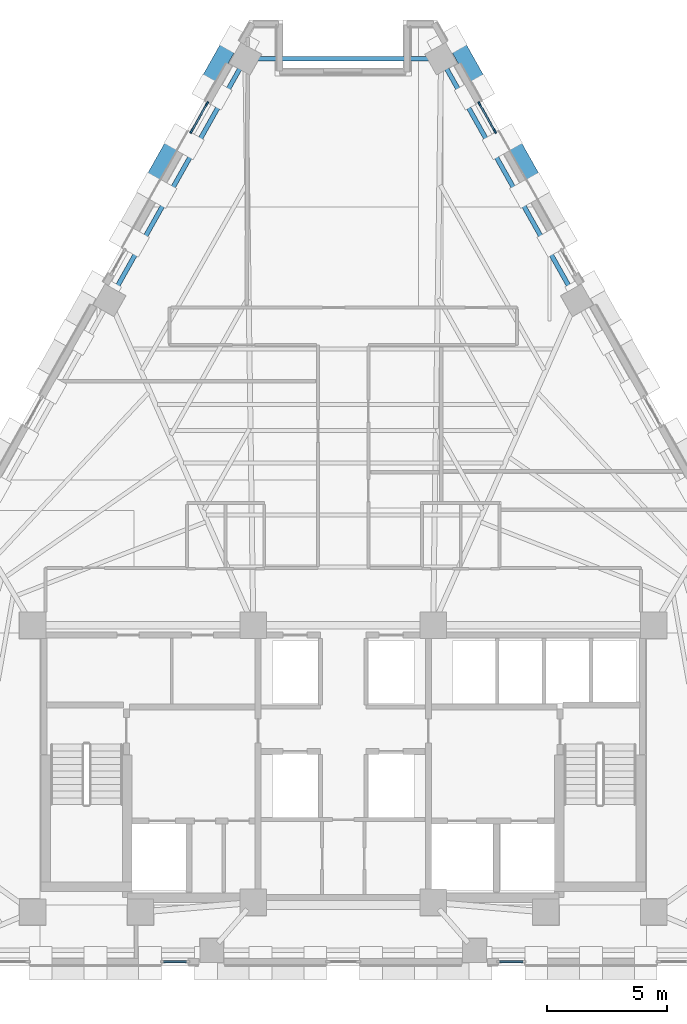
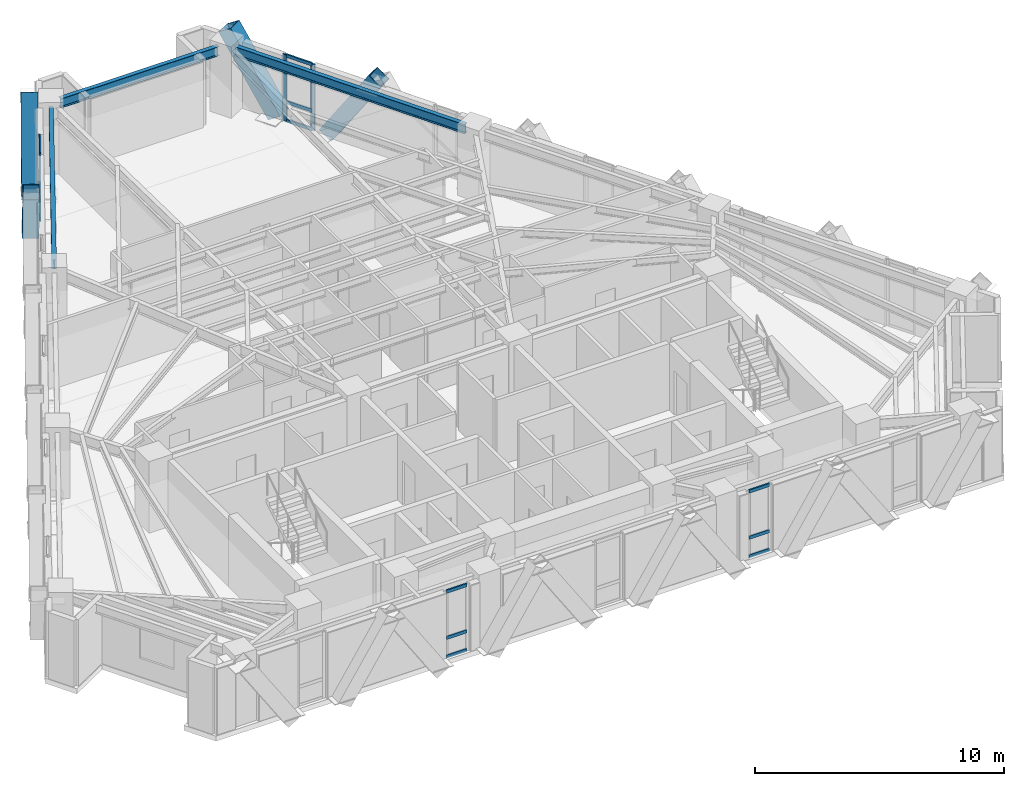
# One storey, part 5 of 14: 20 members, 3 beams, 4 elements without a shape of their own.
"""IFC4 building model written with IfcOpenShell, lengths in metres."""

from ifc_helpers import new_model, si_unit, direction, frame, origin, origin_2d, place, context, subcontext, project, spatial, rectangle, hollow_rectangle, i_section, extrude, material, material_profile, profile_set, type_object, element, aggregate, save


model = new_model("IFC4")

# Units and contexts
model_context = context("Model", 3, precision=1e-05, world=origin(), true_north=direction((0.0, 1.0)))
body_context = subcontext(model_context, "Body", "Model", "MODEL_VIEW")
ifc_project = project(units=[si_unit("LENGTHUNIT", "METRE"), si_unit("AREAUNIT", "SQUARE_METRE"), si_unit("VOLUMEUNIT", "CUBIC_METRE"), si_unit("PLANEANGLEUNIT", "RADIAN"), si_unit("MASSUNIT", "GRAM", prefix="KILO")], contexts=[model_context])

# Site, building, storey
site_placement = place(None, origin())
site = spatial("IfcSite", under=ifc_project, at=site_placement, CompositionType="ELEMENT")
building_placement = place(site_placement, origin())
building = spatial("IfcBuilding", under=site, at=building_placement, Name="Quenlor Broadcast Tower", CompositionType="ELEMENT")
storey_placement = place(building_placement, frame((0.0, 0.0, 168.5)))
storey = spatial("IfcBuildingStorey", under=building, at=storey_placement, Name="L46", CompositionType="ELEMENT", Elevation=168.5)

# Curtain wall, members
ifc_material_1 = material(Name="Architectural Terracotta and Low-E Glazing", Category="masonry")
curtain_wall_type = type_object("IfcCurtainWallType", Name="Unitised Terracotta Curtain Wall System Z3", PredefinedType="NOTDEFINED", material=ifc_material_1)
curtain_wall_1_placement = place(storey_placement, origin())
curtain_wall_1 = element("IfcCurtainWall", 1, at=curtain_wall_1_placement, inside=storey, type_object=curtain_wall_type, Name="L46 Curtain Wall CW3 (L46-NEA-G1)", PredefinedType="NOTDEFINED")
ifc_material_2 = material(Name="Aluminium 6063-T6", Category="aluminium")
ifc_material_profile_1 = material_profile(ifc_material_2, rectangle(XDim=0.070068359375, YDim=0.18994140625, at=origin_2d()))
ifc_profile_set_1 = profile_set([ifc_material_profile_1], Name="Aluminium 6063-T6 MULL70x190")
member_type_1 = type_object("IfcMemberType", Name="CW3 Aluminium Mullion MULL_CW3", PredefinedType="MULLION", material=ifc_profile_set_1)
member_1_placement = place(storey_placement, frame((5.677978515625, 16.94921875, 0.0), z_axis=(0.0, 0.0, 1.0), x_axis=(0.871592831439, 0.490230492916, 0.0)))
member_1 = element("IfcMember", 2, at=member_1_placement, type_object=member_type_1, Name="CW3 mullion 1", PredefinedType="MULLION", context=body_context, shape_type="SweptSolid", body=[
    extrude(rectangle(XDim=0.070068359375, YDim=0.18994140625, at=origin_2d()), origin(), (0.0, 0.0, 1.0), 3.25),
])
member_2_placement = place(storey_placement, frame((6.324951171875, 15.798828125, 0.0), z_axis=(0.0, 0.0, 1.0), x_axis=(0.871592831439, 0.490230492916, 0.0)))
member_2 = element("IfcMember", 3, at=member_2_placement, type_object=member_type_1, Name="CW3 mullion 2", PredefinedType="MULLION", context=body_context, shape_type="SweptSolid", body=[
    extrude(rectangle(XDim=0.070068359375, YDim=0.18994140625, at=origin_2d()), origin(), (0.0, 0.0, 1.0), 3.25),
])

curtain_wall_2_placement = place(storey_placement, origin())
curtain_wall_2 = element("IfcCurtainWall", 4, at=curtain_wall_2_placement, inside=storey, type_object=curtain_wall_type, Name="L46 Curtain Wall CW3 (L46-NWC-G2)", PredefinedType="NOTDEFINED")
member_3_placement = place(storey_placement, frame((-6.324951171875, 15.798828125, 0.0), z_axis=(0.0, 0.0, 1.0), x_axis=(-0.871592831439, 0.490230492916, 0.0)))
member_3 = element("IfcMember", 5, at=member_3_placement, type_object=member_type_1, Name="CW3 mullion 1", PredefinedType="MULLION", context=body_context, shape_type="SweptSolid", body=[
    extrude(rectangle(XDim=0.070068359375, YDim=0.18994140625, at=origin_2d()), origin(), (0.0, 0.0, 1.0), 3.25),
])
member_4_placement = place(storey_placement, frame((-5.677978515625, 16.94921875, 0.0), z_axis=(0.0, 0.0, 1.0), x_axis=(-0.871592831439, 0.490230492916, 0.0)))
member_4 = element("IfcMember", 6, at=member_4_placement, type_object=member_type_1, Name="CW3 mullion 2", PredefinedType="MULLION", context=body_context, shape_type="SweptSolid", body=[
    extrude(rectangle(XDim=0.070068359375, YDim=0.18994140625, at=origin_2d()), origin(), (0.0, 0.0, 1.0), 3.25),
])

curtain_wall_3_placement = place(storey_placement, origin())
curtain_wall_3 = element("IfcCurtainWall", 7, at=curtain_wall_3_placement, inside=storey, type_object=curtain_wall_type, Name="L46 Curtain Wall CW3 (L46-SA-G2)", PredefinedType="NOTDEFINED")
ifc_material_3 = material(Name="Aluminium 6063-T6", Category="aluminium")
ifc_material_profile_2 = material_profile(ifc_material_3, rectangle(XDim=0.070068359375, YDim=0.155029296875, at=origin_2d()))
ifc_profile_set_2 = profile_set([ifc_material_profile_2], Name="Aluminium 6063-T6 TRAN70x155")
member_type_2 = type_object("IfcMemberType", Name="CW3 Aluminium Transom TRAN_CW3", PredefinedType="USERDEFINED", material=ifc_profile_set_2)
member_5_placement = place(storey_placement, frame((7.487060546875, -18.824951171875, 0.034912109375), z_axis=(-1.0, 0.0, 0.0), x_axis=(0.0, -1.0, 0.0)))
member_5 = element("IfcMember", 8, at=member_5_placement, type_object=member_type_2, Name="CW3 transom 1.1", ObjectType="TRANSOM", PredefinedType="USERDEFINED", context=body_context, shape_type="SweptSolid", body=[
    extrude(rectangle(XDim=0.070068359375, YDim=0.155029296875, at=origin_2d()), origin(), (0.0, 0.0, 1.0), 0.951171875),
])
member_6_placement = place(storey_placement, frame((7.487060546875, -18.824951171875, 0.949951171875), z_axis=(-1.0, 0.0, 0.0), x_axis=(0.0, -1.0, 0.0)))
member_6 = element("IfcMember", 9, at=member_6_placement, type_object=member_type_2, Name="CW3 transom 1.2", ObjectType="TRANSOM", PredefinedType="USERDEFINED", context=body_context, shape_type="SweptSolid", body=[
    extrude(rectangle(XDim=0.070068359375, YDim=0.155029296875, at=origin_2d()), origin(), (0.0, 0.0, 1.0), 0.951171875),
])
member_7_placement = place(storey_placement, frame((7.487060546875, -18.824951171875, 3.215087890625), z_axis=(-1.0, 0.0, 0.0), x_axis=(0.0, -1.0, 0.0)))
member_7 = element("IfcMember", 10, at=member_7_placement, type_object=member_type_2, Name="CW3 transom 1.3", ObjectType="TRANSOM", PredefinedType="USERDEFINED", context=body_context, shape_type="SweptSolid", body=[
    extrude(rectangle(XDim=0.070068359375, YDim=0.155029296875, at=origin_2d()), origin(), (0.0, 0.0, 1.0), 0.951171875),
])
aggregate(curtain_wall_3, [member_5, member_6, member_7])

curtain_wall_4_placement = place(storey_placement, origin())
curtain_wall_4 = element("IfcCurtainWall", 11, at=curtain_wall_4_placement, inside=storey, type_object=curtain_wall_type, Name="L46 Curtain Wall CW3 (L46-SC-G1)", PredefinedType="NOTDEFINED")
member_8_placement = place(storey_placement, frame((-6.535888671875, -18.824951171875, 0.034912109375), z_axis=(-1.0, 0.0, 0.0), x_axis=(0.0, -1.0, 0.0)))
member_8 = element("IfcMember", 12, at=member_8_placement, type_object=member_type_2, Name="CW3 transom 1.1", ObjectType="TRANSOM", PredefinedType="USERDEFINED", context=body_context, shape_type="SweptSolid", body=[
    extrude(rectangle(XDim=0.070068359375, YDim=0.155029296875, at=origin_2d()), origin(), (0.0, 0.0, 1.0), 0.951171875),
])
member_9_placement = place(storey_placement, frame((-6.535888671875, -18.824951171875, 0.949951171875), z_axis=(-1.0, 0.0, 0.0), x_axis=(0.0, -1.0, 0.0)))
member_9 = element("IfcMember", 13, at=member_9_placement, type_object=member_type_2, Name="CW3 transom 1.2", ObjectType="TRANSOM", PredefinedType="USERDEFINED", context=body_context, shape_type="SweptSolid", body=[
    extrude(rectangle(XDim=0.070068359375, YDim=0.155029296875, at=origin_2d()), origin(), (0.0, 0.0, 1.0), 0.951171875),
])
member_10_placement = place(storey_placement, frame((-6.535888671875, -18.824951171875, 3.215087890625), z_axis=(-1.0, 0.0, 0.0), x_axis=(0.0, -1.0, 0.0)))
member_10 = element("IfcMember", 14, at=member_10_placement, type_object=member_type_2, Name="CW3 transom 1.3", ObjectType="TRANSOM", PredefinedType="USERDEFINED", context=body_context, shape_type="SweptSolid", body=[
    extrude(rectangle(XDim=0.070068359375, YDim=0.155029296875, at=origin_2d()), origin(), (0.0, 0.0, 1.0), 0.951171875),
])
aggregate(curtain_wall_4, [member_8, member_9, member_10])

# Member
member_11_placement = place(storey_placement, frame((5.695068359375, 16.918701171875, 0.034912109375), z_axis=(0.490131387775, -0.871648566062, 0.0), x_axis=(0.871648566062, 0.490131387775, 0.0)))
member_11 = element("IfcMember", 15, at=member_11_placement, type_object=member_type_2, Name="CW3 transom 1.1", ObjectType="TRANSOM", PredefinedType="USERDEFINED", context=body_context, shape_type="SweptSolid", body=[
    extrude(rectangle(XDim=0.070068359375, YDim=0.155029296875, at=origin_2d()), origin(), (0.0, 0.0, 1.0), 1.249755859375),
])

member_12_placement = place(storey_placement, frame((5.695068359375, 16.918701171875, 0.949951171875), z_axis=(0.490131387775, -0.871648566062, 0.0), x_axis=(0.871648566062, 0.490131387775, 0.0)))
member_12 = element("IfcMember", 16, at=member_12_placement, type_object=member_type_2, Name="CW3 transom 1.2", ObjectType="TRANSOM", PredefinedType="USERDEFINED", context=body_context, shape_type="SweptSolid", body=[
    extrude(rectangle(XDim=0.070068359375, YDim=0.155029296875, at=origin_2d()), origin(), (0.0, 0.0, 1.0), 1.249755859375),
])

member_13_placement = place(storey_placement, frame((5.695068359375, 16.918701171875, 3.215087890625), z_axis=(0.490131387775, -0.871648566062, 0.0), x_axis=(0.871648566062, 0.490131387775, 0.0)))
member_13 = element("IfcMember", 17, at=member_13_placement, type_object=member_type_2, Name="CW3 transom 1.3", ObjectType="TRANSOM", PredefinedType="USERDEFINED", context=body_context, shape_type="SweptSolid", body=[
    extrude(rectangle(XDim=0.070068359375, YDim=0.155029296875, at=origin_2d()), origin(), (0.0, 0.0, 1.0), 1.249755859375),
])

aggregate(curtain_wall_1, [member_1, member_2, member_11, member_12, member_13])

member_14_placement = place(storey_placement, frame((-6.3076171875, 15.829345703125, 0.034912109375), z_axis=(0.490131387775, 0.871648566062, 0.0), x_axis=(-0.871648566062, 0.490131387775, 0.0)))
member_14 = element("IfcMember", 18, at=member_14_placement, type_object=member_type_2, Name="CW3 transom 1.1", ObjectType="TRANSOM", PredefinedType="USERDEFINED", context=body_context, shape_type="SweptSolid", body=[
    extrude(rectangle(XDim=0.070068359375, YDim=0.155029296875, at=origin_2d()), origin(), (0.0, 0.0, 1.0), 1.249755859375),
])

member_15_placement = place(storey_placement, frame((-6.3076171875, 15.829345703125, 0.949951171875), z_axis=(0.490131387775, 0.871648566062, 0.0), x_axis=(-0.871648566062, 0.490131387775, 0.0)))
member_15 = element("IfcMember", 19, at=member_15_placement, type_object=member_type_2, Name="CW3 transom 1.2", ObjectType="TRANSOM", PredefinedType="USERDEFINED", context=body_context, shape_type="SweptSolid", body=[
    extrude(rectangle(XDim=0.070068359375, YDim=0.155029296875, at=origin_2d()), origin(), (0.0, 0.0, 1.0), 1.249755859375),
])

member_16_placement = place(storey_placement, frame((-6.3076171875, 15.829345703125, 3.215087890625), z_axis=(0.490131387775, 0.871648566062, 0.0), x_axis=(-0.871648566062, 0.490131387775, 0.0)))
member_16 = element("IfcMember", 20, at=member_16_placement, type_object=member_type_2, Name="CW3 transom 1.3", ObjectType="TRANSOM", PredefinedType="USERDEFINED", context=body_context, shape_type="SweptSolid", body=[
    extrude(rectangle(XDim=0.070068359375, YDim=0.155029296875, at=origin_2d()), origin(), (0.0, 0.0, 1.0), 1.249755859375),
])

aggregate(curtain_wall_2, [member_3, member_4, member_14, member_15, member_16])

# Members
ifc_material_4 = material(Name="Steel S355", Category="steel")
ifc_material_profile_3 = material_profile(ifc_material_4, hollow_rectangle(XDim=0.679931640625, YDim=0.679931640625, WallThickness=0.02490234375, at=origin_2d()))
ifc_profile_set_3 = profile_set([ifc_material_profile_3], Name="Steel S355 RHS680x680x25")
member_type_3 = type_object("IfcMemberType", Name="Perimeter Diagonal Lattice Brace Z3-Z4 Steel S355 RHS680x25", PredefinedType="BRACE", material=ifc_profile_set_3)
for number, where, z_axis, x_axis, name in (
    (21, (6.92724609375, 15.53369140625, -0.1201171875), (0.2705491942, -0.481008661973, 0.833926735766), (0.871589611547, 0.490236217596, 0.0), "L46 Perimeter Diamond Lattice NE-C1S"),
    (22, (5.763916015625, 17.6015625, -0.1201171875), (-0.2705491942, 0.481008661973, 0.833926735766), (-0.871589611547, -0.490236217596, 0.0), "L46 Perimeter Diamond Lattice NE-C1B"),
    (23, (-5.763916015625, 17.6015625, -0.1201171875), (0.2705491942, 0.481008661973, 0.833926735766), (-0.871589611547, 0.490236217596, 0.0), "L46 Perimeter Diamond Lattice NW-C5S"),
    (24, (-6.92724609375, 15.53369140625, -0.1201171875), (-0.2705491942, -0.481008661973, 0.833926735766), (0.871589611547, -0.490236217596, 0.0), "L46 Perimeter Diamond Lattice NW-C5B"),
):
    element("IfcMember", number, at=place(storey_placement, frame(where, z_axis=z_axis, x_axis=x_axis)), inside=storey, type_object=member_type_3, Name=name, PredefinedType="BRACE", context=body_context, shape_type="SweptSolid", body=[
        extrude(hollow_rectangle(XDim=0.679931640625, YDim=0.679931640625, WallThickness=0.02490234375, at=origin_2d()), origin(), (0.0, 0.0, 1.0), 4.197021484375),
    ])

# Beams
ifc_material_5 = material(Name="Steel S355", Category="steel")
ifc_material_profile_4 = material_profile(ifc_material_5, i_section(OverallWidth=0.19091796875, OverallDepth=0.46044921875, WebThickness=0.010009765625, FlangeThickness=0.01611328125, FilletRadius=0.011474609375, at=origin_2d()))
ifc_profile_set_4 = profile_set([ifc_material_profile_4], Name="Steel S355 460UB82.1")
beam_type = type_object("IfcBeamType", Name="Perimeter Spandrel Beam Z3 Steel S355 460UB82.1", PredefinedType="SPANDREL", material=ifc_profile_set_4)
beam_1_placement = place(storey_placement, frame((9.5419921875, 9.110595703125, 3.019775390625), z_axis=(-0.490257999604, 0.871577359633, 0.0), x_axis=(-0.871577359633, -0.490257999604, 0.0)))
element("IfcBeam", 25, at=beam_1_placement, inside=storey, type_object=beam_type, Name="L46 Spandrel Beam NE3-NE4", PredefinedType="SPANDREL", context=body_context, shape_type="SweptSolid", body=[
    extrude(i_section(OverallWidth=0.19091796875, OverallDepth=0.46044921875, WebThickness=0.010009765625, FlangeThickness=0.01611328125, FilletRadius=0.011474609375, at=origin_2d()), origin(), (0.0, 0.0, 1.0), 10.732666015625),
])
beam_2_placement = place(storey_placement, frame((3.669189453125, 18.822021484375, 3.019775390625), z_axis=(-1.0, 0.0, 0.0), x_axis=(0.0, -1.0, 0.0)))
element("IfcBeam", 26, at=beam_2_placement, inside=storey, type_object=beam_type, Name="L46 Spandrel Beam NE4-NW1", PredefinedType="SPANDREL", context=body_context, shape_type="SweptSolid", body=[
    extrude(i_section(OverallWidth=0.19091796875, OverallDepth=0.46044921875, WebThickness=0.010009765625, FlangeThickness=0.01611328125, FilletRadius=0.011474609375, at=origin_2d()), origin(), (0.0, 0.0, 1.0), 7.33837890625),
])
beam_3_placement = place(storey_placement, frame((-4.2802734375, 18.46484375, 3.019775390625), z_axis=(-0.490257999604, -0.871577359633, 0.0), x_axis=(0.871577359633, -0.490257999604, 0.0)))
element("IfcBeam", 27, at=beam_3_placement, inside=storey, type_object=beam_type, Name="L46 Spandrel Beam NW1-NW2", PredefinedType="SPANDREL", context=body_context, shape_type="SweptSolid", body=[
    extrude(i_section(OverallWidth=0.19091796875, OverallDepth=0.46044921875, WebThickness=0.010009765625, FlangeThickness=0.01611328125, FilletRadius=0.011474609375, at=origin_2d()), origin(), (0.0, 0.0, 1.0), 10.732666015625),
])

save(model, "model.ifc")
